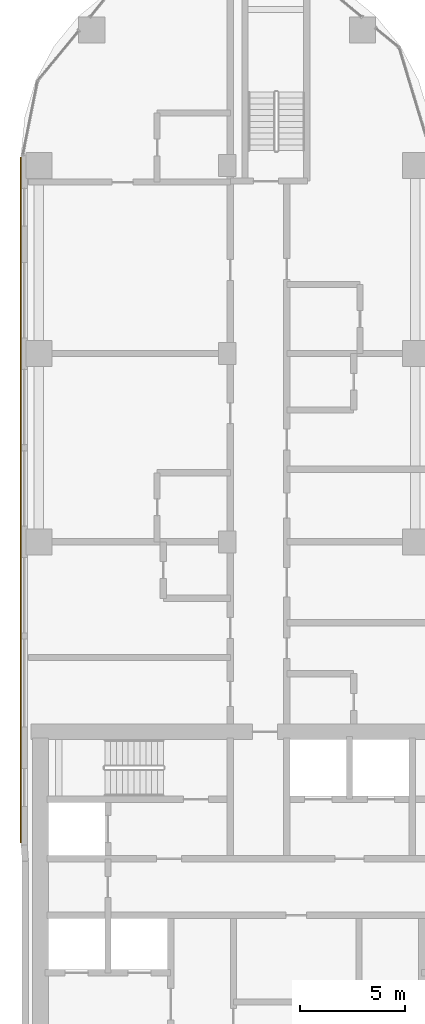
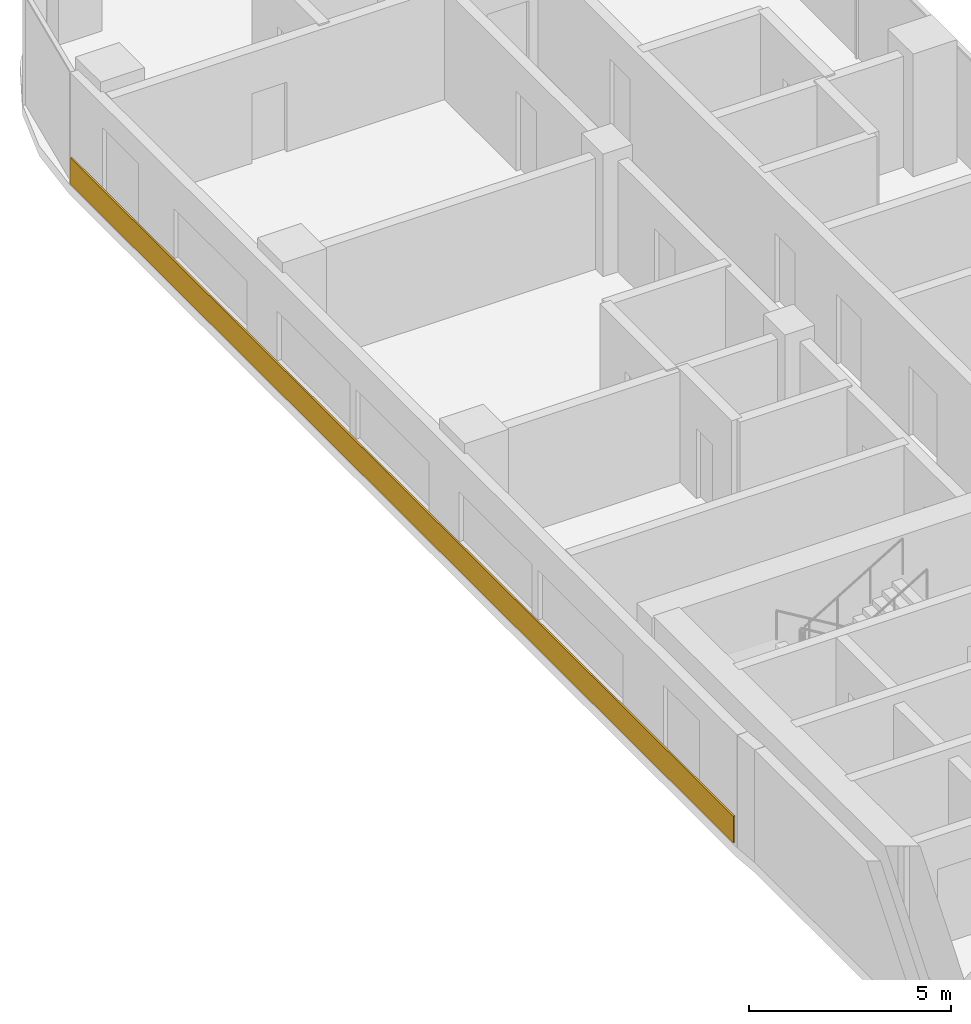
# One storey, part 32 of 35: 1 covering.
"""IFC4 building model written with IfcOpenShell, lengths in metres."""

from ifc_helpers import new_model, si_unit, direction, frame, origin, origin_2d, place, context, subcontext, project, spatial, rectangle, extrude, material, layer, layer_set, type_object, element, save


model = new_model("IFC4")

# Units and contexts
model_context = context("Model", 3, precision=1e-05, world=origin(), true_north=direction((0.0, 1.0)))
body_context = subcontext(model_context, "Body", "Model", "MODEL_VIEW")
ifc_project = project(units=[si_unit("LENGTHUNIT", "METRE"), si_unit("AREAUNIT", "SQUARE_METRE"), si_unit("VOLUMEUNIT", "CUBIC_METRE"), si_unit("PLANEANGLEUNIT", "RADIAN"), si_unit("MASSUNIT", "GRAM", prefix="KILO")], contexts=[model_context])

# Site, building, storey
site_placement = place(None, origin())
site = spatial("IfcSite", under=ifc_project, at=site_placement, CompositionType="ELEMENT")
building_placement = place(site_placement, origin())
building = spatial("IfcBuilding", under=site, at=building_placement, Name="Ogive Portal Towers", CompositionType="ELEMENT")
storey_placement = place(building_placement, frame((0.0, 0.0, 94.5)))
storey = spatial("IfcBuildingStorey", under=building, at=storey_placement, Name="L22", CompositionType="ELEMENT", Elevation=94.5)

# Covering
ifc_material = material(Name="Limestone cladding on lightweight block wall", Category="masonry")
ifc_layer = layer(ifc_material, 0.050048828125)
ifc_layer_set = layer_set([ifc_layer], Name="SCREEN PERFORATED STONE")
covering_type = type_object("IfcCoveringType", Name="SCREEN PERFORATED STONE", PredefinedType="CLADDING", material=ifc_layer_set)
covering_placement = place(storey_placement, frame((30.6201171875, 50.50146484375, 0.10009765625), z_axis=(0.0, 0.0, 1.0), x_axis=(0.0, -1.0, 0.0)))
element("IfcCovering", 1, at=covering_placement, inside=storey, type_object=covering_type, Name="Tracery screen", PredefinedType="CLADDING", context=body_context, shape_type="SweptSolid", body=[
    extrude(rectangle(XDim=32.781494140625, YDim=0.050048828125, at=origin_2d()), origin(), (0.0, 0.0, 1.0), 0.800048828125),
])

save(model, "model.ifc")
